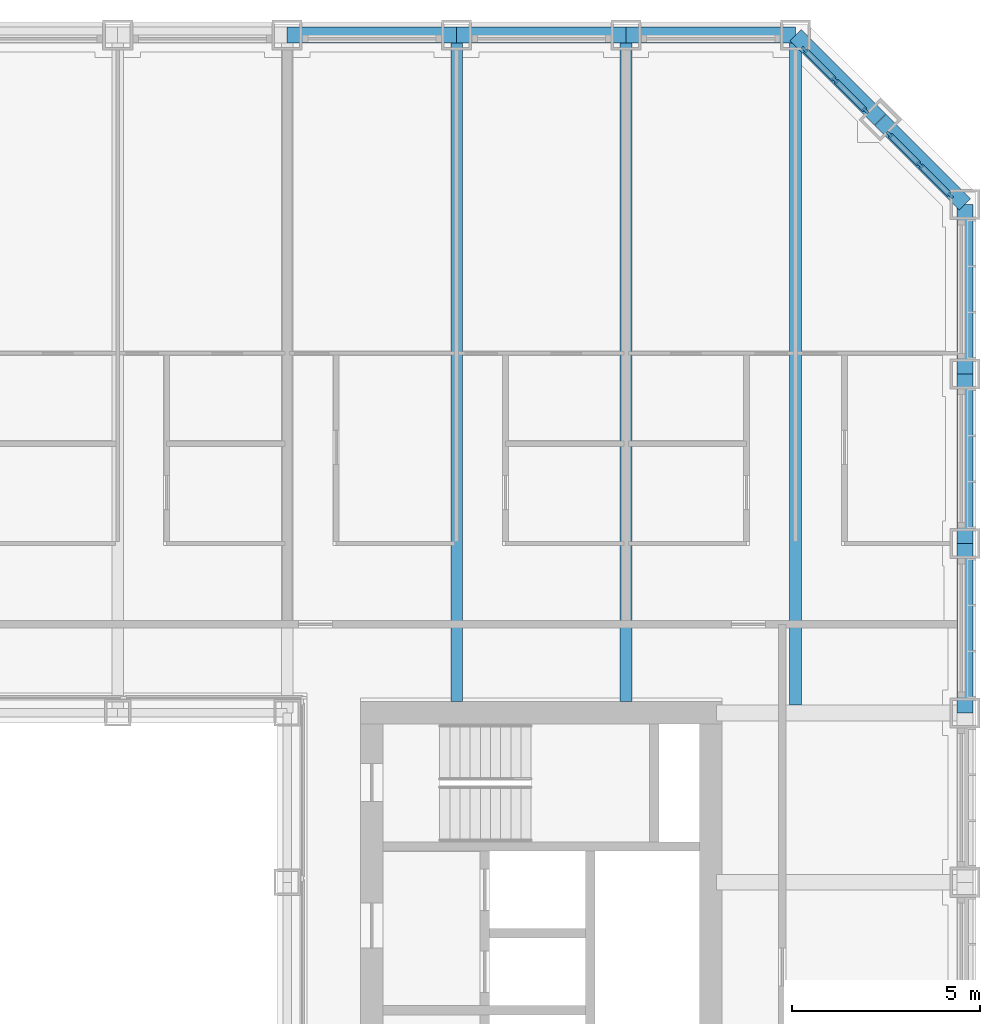
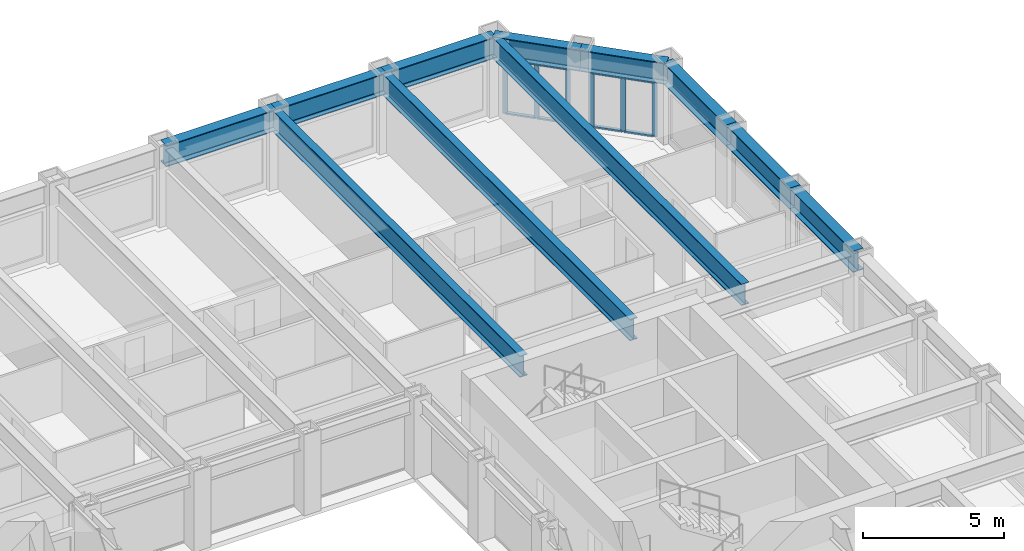
# One storey, part 7 of 21: 14 members, 11 beams, 2 elements without a shape of their own.
"""IFC4 building model written with IfcOpenShell, lengths in metres."""

import ifcopenshell
import ifcopenshell.guid

model = None  # the IFC model being written
_history = None  # IfcOwnerHistory: only IFC2X3 demands one
_inside = {}  # id of a spatial element -> (the spatial element, [elements in it])
_under = {}  # id of a project, library or spatial element -> (it, [spatial elements below it])
_declared = {}  # id of a project -> (the project, [libraries it declares])
_typed = {}  # id of a type object -> (the type object, [elements of that type])
_made_of = {}  # id of a material, layer set ... -> (it, [elements and type objects made of it])


def new_model(schema):
    """Start an empty IFC model of exactly this schema.

    Asked for "IFC4X3", IfcOpenShell would pick the latest addendum, in which some entities
    have other attributes; the version numbers below select the first issue.
    IFC2X3 requires an IfcOwnerHistory on every rooted entity: one is made here for all.
    """
    global model, _history
    if schema == "IFC4X3":
        model = ifcopenshell.file(schema_version=(4, 3, 0, 0))
    else:
        model = ifcopenshell.file(schema=schema)
    _inside.clear()
    _under.clear()
    _declared.clear()
    _typed.clear()
    _made_of.clear()
    _history = None
    if model.schema == "IFC2X3":
        org = make("IfcOrganization", Name="unknown")
        user = make(
            "IfcPersonAndOrganization",
            ThePerson=make("IfcPerson", FamilyName="unknown"),
            TheOrganization=org,
        )
        app = make(
            "IfcApplication",
            ApplicationDeveloper=org,
            Version="unknown",
            ApplicationFullName="unknown",
            ApplicationIdentifier="unknown",
        )
        _history = make(
            "IfcOwnerHistory",
            OwningUser=user,
            OwningApplication=app,
            ChangeAction="ADDED",
            CreationDate=0,
        )
    return model


def make(cls, **values):
    """One entity of the class cls with the attributes given. An attribute that is None is left unset."""
    return model.create_entity(
        cls, **{name: value for name, value in values.items() if value is not None}
    )


def rooted(cls, **values):
    """An entity with a GlobalId (a new one), such as an element, a storey or a relation."""
    return make(cls, GlobalId=ifcopenshell.guid.new(), OwnerHistory=_history, **values)


def si_unit(unit_type, name, prefix=None):
    """IfcSIUnit, for example si_unit("LENGTHUNIT", "METRE", prefix="MILLI")."""
    return make("IfcSIUnit", UnitType=unit_type, Prefix=prefix, Name=name)


def assignment(units):
    """IfcUnitAssignment: the units of a project."""
    return None if units is None else make("IfcUnitAssignment", Units=units)


def point(xyz):
    """IfcCartesianPoint."""
    return None if xyz is None else make("IfcCartesianPoint", Coordinates=xyz)


def direction(xyz):
    """IfcDirection."""
    return None if xyz is None else make("IfcDirection", DirectionRatios=xyz)


def frame(location, z_axis=None, x_axis=None):
    """IfcAxis2Placement3D, a coordinate frame: its origin and axes. An axis left out is left unset."""
    return make(
        "IfcAxis2Placement3D",
        Location=point(location),
        Axis=direction(z_axis),
        RefDirection=direction(x_axis),
    )


def frame_2d(location, x_axis=None):
    """IfcAxis2Placement2D, a coordinate frame in the plane: its origin and x axis."""
    return make(
        "IfcAxis2Placement2D", Location=point(location), RefDirection=direction(x_axis)
    )


def origin():
    """The frame at (0, 0, 0) with its axes left unset."""
    return frame((0.0, 0.0, 0.0))


def origin_2d():
    """The frame at (0, 0) in the plane with its x axis left unset."""
    return frame_2d((0.0, 0.0))


def place(relative_to, where):
    """IfcLocalPlacement: puts the frame where relative to a parent placement (None: the world)."""
    return make(
        "IfcLocalPlacement", PlacementRelTo=relative_to, RelativePlacement=where
    )


def context(
    kind, dimensions, precision=None, world=None, true_north=None, identifier=None
):
    """IfcGeometricRepresentationContext, for example the 3D "Model" context."""
    return make(
        "IfcGeometricRepresentationContext",
        ContextIdentifier=identifier,
        ContextType=kind,
        CoordinateSpaceDimension=dimensions,
        Precision=precision,
        WorldCoordinateSystem=world,
        TrueNorth=true_north,
    )


def subcontext(parent, identifier, kind, view, scale=None):
    """IfcGeometricRepresentationSubContext, for example "Body" below "Model"."""
    return make(
        "IfcGeometricRepresentationSubContext",
        ContextIdentifier=identifier,
        ContextType=kind,
        ParentContext=parent,
        TargetScale=scale,
        TargetView=view,
    )


def project(units=None, contexts=None):
    """IfcProject with its units and contexts."""
    return rooted(
        "IfcProject",
        Name="project",
        RepresentationContexts=contexts,
        UnitsInContext=assignment(units),
    )


def spatial(cls, under=None, at=None, **own):
    """A site, building, storey or space (cls), placed at a placement, below another one or the project."""
    s = rooted(cls, ObjectPlacement=at, **own)
    if under is not None:
        _under.setdefault(under.id(), (under, []))[1].append(s)
    return s


def profile(cls, at=None, kind="AREA", **sizes):
    """A parametric profile (cls). Its sizes go by their IFC names, for example OverallWidth=200.0."""
    return make(cls, ProfileType=kind, Position=at, **sizes)


def rectangle(**sizes):
    """IfcRectangleProfileDef."""
    return profile("IfcRectangleProfileDef", **sizes)


def i_section(**sizes):
    """IfcIShapeProfileDef."""
    return profile("IfcIShapeProfileDef", **sizes)


def extrude(swept, where, along, depth):
    """IfcExtrudedAreaSolid: the profile swept, set in the frame where, extruded along a direction by depth."""
    return make(
        "IfcExtrudedAreaSolid",
        SweptArea=swept,
        Position=where,
        ExtrudedDirection=direction(along),
        Depth=depth,
    )


def shape(context_of_items, identifier, shape_type, items):
    """IfcShapeRepresentation: the items that make up one representation, for example the "Body"."""
    return make(
        "IfcShapeRepresentation",
        ContextOfItems=context_of_items,
        RepresentationIdentifier=identifier,
        RepresentationType=shape_type,
        Items=items,
    )


def material(Name=None, Category=None):
    """IfcMaterial."""
    return make("IfcMaterial", Name=Name, Category=Category)


def material_profile(
    of_material, cross_section, Name=None, Category=None, Priority=None
):
    """IfcMaterialProfile: a cross section and its material."""
    return make(
        "IfcMaterialProfile",
        Name=Name,
        Material=of_material,
        Profile=cross_section,
        Priority=Priority,
        Category=Category,
    )


def profile_set(profiles, Name=None, composite=None):
    """IfcMaterialProfileSet."""
    return make(
        "IfcMaterialProfileSet",
        Name=Name,
        MaterialProfiles=profiles,
        CompositeProfile=composite,
    )


def made_of(thing, what):
    """Note that an element or type object is made of a material, layer set ...; save() writes the relation."""
    if what is not None:
        _made_of.setdefault(what.id(), (what, []))[1].append(thing)
    return thing


def type_object(cls, material=None, **own):
    """A type object (cls), such as IfcWallType, which elements share."""
    return made_of(rooted(cls, **own), material)


def element(
    cls,
    number,
    at=None,
    inside=None,
    cuts=None,
    type_object=None,
    material=None,
    context=None,
    identifier="Body",
    shape_type=None,
    held_by="IfcProductDefinitionShape",
    body=None,
    shapes=None,
    **own,
):
    """One element of the class cls, such as IfcWall. Its Tag is "e" and its number.

    at: its placement. inside: the storey or other place that contains it. cuts: it is an
    opening in that element (IfcRelVoidsElement). A single representation is given by context,
    identifier, shape_type and body (its items); several are given by shapes. held_by: the class
    of the entity that holds the representations. save() writes the other relations.
    """
    e = rooted(cls, Tag="e%d" % number, ObjectPlacement=at, **own)
    if body is not None:
        shapes = [shape(context, identifier, shape_type, body)]
    if shapes is not None:
        e.Representation = make(held_by, Representations=shapes)
    if inside is not None:
        _inside.setdefault(inside.id(), (inside, []))[1].append(e)
    if cuts is not None:
        rooted(
            "IfcRelVoidsElement", RelatingBuildingElement=cuts, RelatedOpeningElement=e
        )
    if type_object is not None:
        _typed.setdefault(type_object.id(), (type_object, []))[1].append(e)
    return made_of(e, material)


def aggregate(whole, parts):
    """IfcRelAggregates: a whole, such as a stair, and the parts it consists of."""
    return rooted("IfcRelAggregates", RelatingObject=whole, RelatedObjects=parts)


def save(model, path):
    """Write the relations noted so far, then the file.

    IfcRelAggregates (storeys below a building ...), IfcRelContainedInSpatialStructure (elements
    in a storey), IfcRelDefinesByType, IfcRelAssociatesMaterial and IfcRelDeclares: one each for
    every whole, place, type object, material and project.
    """
    for whole, parts in _under.values():
        aggregate(whole, parts)
    for where, things in _inside.values():
        rooted(
            "IfcRelContainedInSpatialStructure",
            RelatedElements=things,
            RelatingStructure=where,
        )
    for kind, things in _typed.values():
        rooted("IfcRelDefinesByType", RelatedObjects=things, RelatingType=kind)
    for what, things in _made_of.values():
        rooted("IfcRelAssociatesMaterial", RelatedObjects=things, RelatingMaterial=what)
    for by, libraries in _declared.values():
        rooted("IfcRelDeclares", RelatingContext=by, RelatedDefinitions=libraries)
    model.write(path)


model = new_model("IFC4")

# Units and contexts
model_context = context("Model", 3, precision=1e-05, world=origin(), true_north=direction((0.0, 1.0)))
body_context = subcontext(model_context, "Body", "Model", "MODEL_VIEW")
ifc_project = project(units=[si_unit("LENGTHUNIT", "METRE"), si_unit("AREAUNIT", "SQUARE_METRE"), si_unit("VOLUMEUNIT", "CUBIC_METRE"), si_unit("PLANEANGLEUNIT", "RADIAN"), si_unit("MASSUNIT", "GRAM", prefix="KILO")], contexts=[model_context])

# Site, building, storey
site_placement = place(None, origin())
site = spatial("IfcSite", under=ifc_project, at=site_placement, CompositionType="ELEMENT")
building_placement = place(site_placement, origin())
building = spatial("IfcBuilding", under=site, at=building_placement, Name="Msasa Ring Tower", CompositionType="ELEMENT")
storey_placement = place(building_placement, frame((0.0, 0.0, 47.5)))
storey = spatial("IfcBuildingStorey", under=building, at=storey_placement, Name="L11", CompositionType="ELEMENT", Elevation=47.5)

# Curtain wall, members
ifc_material_1 = material(Name="Aluminium curtain wall with clear glass", Category="aluminium")
curtain_wall_type = type_object("IfcCurtainWallType", Name="CW-C CHAMFER CORNER CURTAIN WALL", PredefinedType="NOTDEFINED", material=ifc_material_1)
curtain_wall_1_placement = place(storey_placement, origin())
curtain_wall_1 = element("IfcCurtainWall", 1, at=curtain_wall_1_placement, inside=storey, type_object=curtain_wall_type, Name="Chamfer corner curtain wall NE L11", PredefinedType="NOTDEFINED")
ifc_material_2 = material(Name="Aluminium mullion", Category="aluminium")
ifc_material_profile_1 = material_profile(ifc_material_2, rectangle(XDim=0.06494140625, YDim=0.179931640625, at=origin_2d()), Name="AL 65x180")
ifc_profile_set_1 = profile_set([ifc_material_profile_1], Name="Aluminium mullion")
member_type_1 = type_object("IfcMemberType", Name="CW-C MULLION 65x180", PredefinedType="MULLION", material=ifc_profile_set_1)
member_1_placement = place(storey_placement, frame((22.119873046875, 22.73876953125, 0.0), z_axis=(0.0, 0.0, 1.0), x_axis=(-0.707106781187, -0.707106781187, 0.0)))
member_1 = element("IfcMember", 2, at=member_1_placement, type_object=member_type_1, Name="CW-C mullion 1", PredefinedType="MULLION", context=body_context, shape_type="SweptSolid", body=[
    extrude(rectangle(XDim=0.06494140625, YDim=0.179931640625, at=origin_2d()), origin(), (0.0, 0.0, 1.0), 2.37890625),
])
member_2_placement = place(storey_placement, frame((21.30419921875, 23.55419921875, 0.0), z_axis=(0.0, 0.0, 1.0), x_axis=(-0.707106781187, -0.707106781187, 0.0)))
member_2 = element("IfcMember", 3, at=member_2_placement, type_object=member_type_1, Name="CW-C mullion 2", PredefinedType="MULLION", context=body_context, shape_type="SweptSolid", body=[
    extrude(rectangle(XDim=0.06494140625, YDim=0.179931640625, at=origin_2d()), origin(), (0.0, 0.0, 1.0), 2.37890625),
])
member_3_placement = place(storey_placement, frame((20.48876953125, 24.369873046875, 0.0), z_axis=(0.0, 0.0, 1.0), x_axis=(-0.707106781187, -0.707106781187, 0.0)))
member_3 = element("IfcMember", 4, at=member_3_placement, type_object=member_type_1, Name="CW-C mullion 3", PredefinedType="MULLION", context=body_context, shape_type="SweptSolid", body=[
    extrude(rectangle(XDim=0.06494140625, YDim=0.179931640625, at=origin_2d()), origin(), (0.0, 0.0, 1.0), 2.37890625),
])

curtain_wall_2_placement = place(storey_placement, origin())
curtain_wall_2 = element("IfcCurtainWall", 5, at=curtain_wall_2_placement, inside=storey, type_object=curtain_wall_type, Name="Chamfer corner curtain wall NE L11", PredefinedType="NOTDEFINED")
member_4_placement = place(storey_placement, frame((24.369873046875, 20.48876953125, 0.0), z_axis=(0.0, 0.0, 1.0), x_axis=(-0.707106781187, -0.707106781187, 0.0)))
member_4 = element("IfcMember", 6, at=member_4_placement, type_object=member_type_1, Name="CW-C mullion 1", PredefinedType="MULLION", context=body_context, shape_type="SweptSolid", body=[
    extrude(rectangle(XDim=0.06494140625, YDim=0.179931640625, at=origin_2d()), origin(), (0.0, 0.0, 1.0), 2.37890625),
])
member_5_placement = place(storey_placement, frame((23.55419921875, 21.30419921875, 0.0), z_axis=(0.0, 0.0, 1.0), x_axis=(-0.707106781187, -0.707106781187, 0.0)))
member_5 = element("IfcMember", 7, at=member_5_placement, type_object=member_type_1, Name="CW-C mullion 2", PredefinedType="MULLION", context=body_context, shape_type="SweptSolid", body=[
    extrude(rectangle(XDim=0.06494140625, YDim=0.179931640625, at=origin_2d()), origin(), (0.0, 0.0, 1.0), 2.37890625),
])
member_6_placement = place(storey_placement, frame((22.73876953125, 22.119873046875, 0.0), z_axis=(0.0, 0.0, 1.0), x_axis=(-0.707106781187, -0.707106781187, 0.0)))
member_6 = element("IfcMember", 8, at=member_6_placement, type_object=member_type_1, Name="CW-C mullion 3", PredefinedType="MULLION", context=body_context, shape_type="SweptSolid", body=[
    extrude(rectangle(XDim=0.06494140625, YDim=0.179931640625, at=origin_2d()), origin(), (0.0, 0.0, 1.0), 2.37890625),
])

# Member
ifc_material_3 = material(Name="Aluminium transom", Category="aluminium")
ifc_material_profile_2 = material_profile(ifc_material_3, rectangle(XDim=0.139892578125, YDim=0.06494140625, at=origin_2d()), Name="AL 65x140")
ifc_profile_set_2 = profile_set([ifc_material_profile_2], Name="Aluminium transom")
member_type_2 = type_object("IfcMemberType", Name="CW-C TRANSOM 65x140", PredefinedType="USERDEFINED", material=ifc_profile_set_2)
member_7_placement = place(storey_placement, frame((22.096923828125, 22.76171875, 0.032470703125), z_axis=(-0.707106781187, 0.707106781187, 0.0), x_axis=(-0.707106781187, -0.707106781187, 0.0)))
member_7 = element("IfcMember", 9, at=member_7_placement, type_object=member_type_2, Name="CW-C transom 1.1", ObjectType="TRANSOM", PredefinedType="USERDEFINED", context=body_context, shape_type="SweptSolid", body=[
    extrude(rectangle(XDim=0.139892578125, YDim=0.06494140625, at=origin_2d()), origin(), (0.0, 0.0, 1.0), 1.08837890625),
])

member_8_placement = place(storey_placement, frame((22.096923828125, 22.76171875, 2.346435546875), z_axis=(-0.707106781187, 0.707106781187, 0.0), x_axis=(-0.707106781187, -0.707106781187, 0.0)))
member_8 = element("IfcMember", 10, at=member_8_placement, type_object=member_type_2, Name="CW-C transom 1.2", ObjectType="TRANSOM", PredefinedType="USERDEFINED", context=body_context, shape_type="SweptSolid", body=[
    extrude(rectangle(XDim=0.139892578125, YDim=0.06494140625, at=origin_2d()), origin(), (0.0, 0.0, 1.0), 1.08837890625),
])

member_9_placement = place(storey_placement, frame((21.28125, 23.577392578125, 0.032470703125), z_axis=(-0.707106781187, 0.707106781187, 0.0), x_axis=(-0.707106781187, -0.707106781187, 0.0)))
member_9 = element("IfcMember", 11, at=member_9_placement, type_object=member_type_2, Name="CW-C transom 2.1", ObjectType="TRANSOM", PredefinedType="USERDEFINED", context=body_context, shape_type="SweptSolid", body=[
    extrude(rectangle(XDim=0.139892578125, YDim=0.06494140625, at=origin_2d()), origin(), (0.0, 0.0, 1.0), 1.08837890625),
])

member_10_placement = place(storey_placement, frame((21.28125, 23.577392578125, 2.346435546875), z_axis=(-0.707106781187, 0.707106781187, 0.0), x_axis=(-0.707106781187, -0.707106781187, 0.0)))
member_10 = element("IfcMember", 12, at=member_10_placement, type_object=member_type_2, Name="CW-C transom 2.2", ObjectType="TRANSOM", PredefinedType="USERDEFINED", context=body_context, shape_type="SweptSolid", body=[
    extrude(rectangle(XDim=0.139892578125, YDim=0.06494140625, at=origin_2d()), origin(), (0.0, 0.0, 1.0), 1.08837890625),
])

aggregate(curtain_wall_1, [member_1, member_2, member_3, member_7, member_8, member_9, member_10])

member_11_placement = place(storey_placement, frame((24.346923828125, 20.51171875, 0.032470703125), z_axis=(-0.707106781187, 0.707106781187, 0.0), x_axis=(-0.707106781187, -0.707106781187, 0.0)))
member_11 = element("IfcMember", 13, at=member_11_placement, type_object=member_type_2, Name="CW-C transom 1.1", ObjectType="TRANSOM", PredefinedType="USERDEFINED", context=body_context, shape_type="SweptSolid", body=[
    extrude(rectangle(XDim=0.139892578125, YDim=0.06494140625, at=origin_2d()), origin(), (0.0, 0.0, 1.0), 1.08837890625),
])

member_12_placement = place(storey_placement, frame((24.346923828125, 20.51171875, 2.346435546875), z_axis=(-0.707106781187, 0.707106781187, 0.0), x_axis=(-0.707106781187, -0.707106781187, 0.0)))
member_12 = element("IfcMember", 14, at=member_12_placement, type_object=member_type_2, Name="CW-C transom 1.2", ObjectType="TRANSOM", PredefinedType="USERDEFINED", context=body_context, shape_type="SweptSolid", body=[
    extrude(rectangle(XDim=0.139892578125, YDim=0.06494140625, at=origin_2d()), origin(), (0.0, 0.0, 1.0), 1.08837890625),
])

member_13_placement = place(storey_placement, frame((23.53125, 21.327392578125, 0.032470703125), z_axis=(-0.707106781187, 0.707106781187, 0.0), x_axis=(-0.707106781187, -0.707106781187, 0.0)))
member_13 = element("IfcMember", 15, at=member_13_placement, type_object=member_type_2, Name="CW-C transom 2.1", ObjectType="TRANSOM", PredefinedType="USERDEFINED", context=body_context, shape_type="SweptSolid", body=[
    extrude(rectangle(XDim=0.139892578125, YDim=0.06494140625, at=origin_2d()), origin(), (0.0, 0.0, 1.0), 1.08837890625),
])

member_14_placement = place(storey_placement, frame((23.53125, 21.327392578125, 2.346435546875), z_axis=(-0.707106781187, 0.707106781187, 0.0), x_axis=(-0.707106781187, -0.707106781187, 0.0)))
member_14 = element("IfcMember", 16, at=member_14_placement, type_object=member_type_2, Name="CW-C transom 2.2", ObjectType="TRANSOM", PredefinedType="USERDEFINED", context=body_context, shape_type="SweptSolid", body=[
    extrude(rectangle(XDim=0.139892578125, YDim=0.06494140625, at=origin_2d()), origin(), (0.0, 0.0, 1.0), 1.08837890625),
])

aggregate(curtain_wall_2, [member_4, member_5, member_6, member_11, member_12, member_13, member_14])

# Beams
ifc_material_4 = material(Name="Steel S355", Category="steel")
ifc_material_profile_3 = material_profile(ifc_material_4, i_section(OverallWidth=0.3076171875, OverallDepth=0.926513671875, WebThickness=0.01953125, FlangeThickness=0.031982421875, FilletRadius=0.01904296875, at=origin_2d()), Name="UB 914x305x289")
ifc_profile_set_3 = profile_set([ifc_material_profile_3], Name="Steel S355")
beam_type_1 = type_object("IfcBeamType", Name="FB3 UB 914x305x289", PredefinedType="BEAM", material=ifc_profile_set_3)
for number, where, z_axis, x_axis, name in (
    (17, (11.25, 24.75, 2.836669921875), (0.0, -1.0, 0.0), (1.0, 0.0, 0.0), "Floor beam N+11.25 under L12"),
    (18, (15.75, 24.75, 2.836669921875), (0.0, -1.0, 0.0), (1.0, 0.0, 0.0), "Floor beam N+15.75 under L12"),
):
    element("IfcBeam", number, at=place(storey_placement, frame(where, z_axis=z_axis, x_axis=x_axis)), inside=storey, type_object=beam_type_1, Name=name, PredefinedType="BEAM", context=body_context, shape_type="SweptSolid", body=[
        extrude(i_section(OverallWidth=0.3076171875, OverallDepth=0.926513671875, WebThickness=0.01953125, FlangeThickness=0.031982421875, FilletRadius=0.01904296875, at=origin_2d()), origin(), (0.0, 0.0, 1.0), 17.699951171875),
    ])
beam_placement = place(storey_placement, frame((20.25, 24.75, 2.836669921875), z_axis=(0.0, -1.0, 0.0), x_axis=(1.0, 0.0, 0.0)))
element("IfcBeam", 19, at=beam_placement, inside=storey, type_object=beam_type_1, Name="Floor beam N+20.25 under L12", PredefinedType="BEAM", context=body_context, shape_type="SweptSolid", body=[
    extrude(i_section(OverallWidth=0.3076171875, OverallDepth=0.926513671875, WebThickness=0.01953125, FlangeThickness=0.031982421875, FilletRadius=0.01904296875, at=origin_2d()), origin(), (0.0, 0.0, 1.0), 17.789794921875),
])
ifc_material_5 = material(Name="Steel S355", Category="steel")
ifc_material_profile_4 = material_profile(ifc_material_5, i_section(OverallWidth=0.42041015625, OverallDepth=0.9208984375, WebThickness=0.021484375, FlangeThickness=0.03662109375, FilletRadius=0.024169921875, at=origin_2d()), Name="UB 914x419x388")
ifc_profile_set_4 = profile_set([ifc_material_profile_4], Name="Steel S355")
beam_type_2 = type_object("IfcBeamType", Name="SB1 UB 914x419x388", PredefinedType="SPANDREL", material=ifc_profile_set_4)
for number, where, z_axis, x_axis, name in (
    (20, (24.75, 6.75, 2.839599609375), (0.0, 1.0, 0.0), (-1.0, 0.0, 0.0), "Spandrel E+6.75 to E+11.25 under L12"),
    (21, (24.75, 11.25, 2.839599609375), (0.0, 1.0, 0.0), (-1.0, 0.0, 0.0), "Spandrel E+11.25 to E+15.75 under L12"),
    (22, (24.75, 15.75, 2.839599609375), (0.0, 1.0, 0.0), (-1.0, 0.0, 0.0), "Spandrel E+15.75 to E+20.25 under L12"),
):
    element("IfcBeam", number, at=place(storey_placement, frame(where, z_axis=z_axis, x_axis=x_axis)), inside=storey, type_object=beam_type_2, Name=name, PredefinedType="SPANDREL", context=body_context, shape_type="SweptSolid", body=[
        extrude(i_section(OverallWidth=0.42041015625, OverallDepth=0.9208984375, WebThickness=0.021484375, FlangeThickness=0.03662109375, FilletRadius=0.024169921875, at=origin_2d()), origin(), (0.0, 0.0, 1.0), 4.5),
    ])
for number, where, z_axis, x_axis, name in (
    (23, (24.75, 20.25, 2.839599609375), (-0.707106781187, 0.707106781187, 0.0), (-0.707106781187, -0.707106781187, 0.0), "Spandrel E+20.25 to NE under L12"),
    (24, (22.5, 22.5, 2.839599609375), (-0.707106781187, 0.707106781187, 0.0), (-0.707106781187, -0.707106781187, 0.0), "Spandrel NE to N+20.25 under L12"),
):
    element("IfcBeam", number, at=place(storey_placement, frame(where, z_axis=z_axis, x_axis=x_axis)), inside=storey, type_object=beam_type_2, Name=name, PredefinedType="SPANDREL", context=body_context, shape_type="SweptSolid", body=[
        extrude(i_section(OverallWidth=0.42041015625, OverallDepth=0.9208984375, WebThickness=0.021484375, FlangeThickness=0.03662109375, FilletRadius=0.024169921875, at=origin_2d()), origin(), (0.0, 0.0, 1.0), 3.181884765625),
    ])
for number, where, z_axis, x_axis, name in (
    (25, (20.25, 24.75, 2.839599609375), (-1.0, 0.0, 0.0), (0.0, -1.0, 0.0), "Spandrel N+20.25 to N+15.75 under L12"),
    (26, (15.75, 24.75, 2.839599609375), (-1.0, 0.0, 0.0), (0.0, -1.0, 0.0), "Spandrel N+15.75 to N+11.25 under L12"),
    (27, (11.25, 24.75, 2.839599609375), (-1.0, 0.0, 0.0), (0.0, -1.0, 0.0), "Spandrel N+11.25 to N+6.75 under L12"),
):
    element("IfcBeam", number, at=place(storey_placement, frame(where, z_axis=z_axis, x_axis=x_axis)), inside=storey, type_object=beam_type_2, Name=name, PredefinedType="SPANDREL", context=body_context, shape_type="SweptSolid", body=[
        extrude(i_section(OverallWidth=0.42041015625, OverallDepth=0.9208984375, WebThickness=0.021484375, FlangeThickness=0.03662109375, FilletRadius=0.024169921875, at=origin_2d()), origin(), (0.0, 0.0, 1.0), 4.5),
    ])

save(model, "model.ifc")
